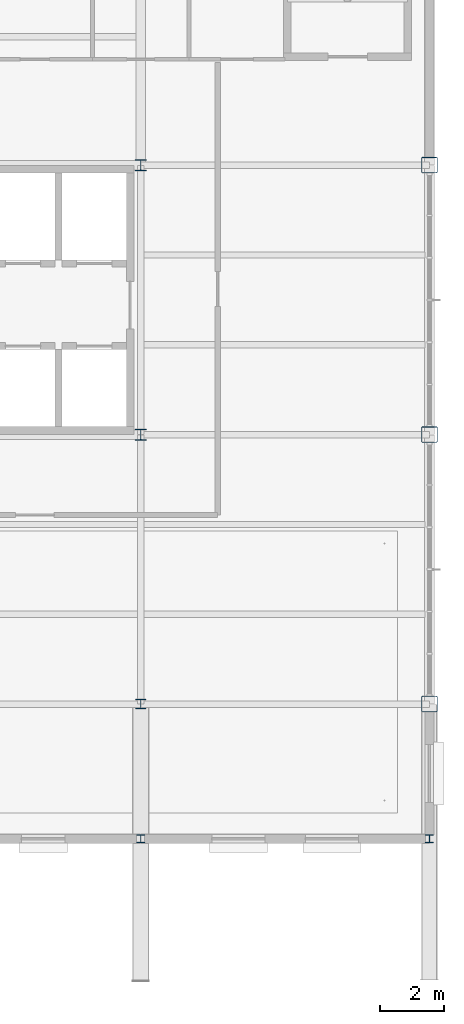
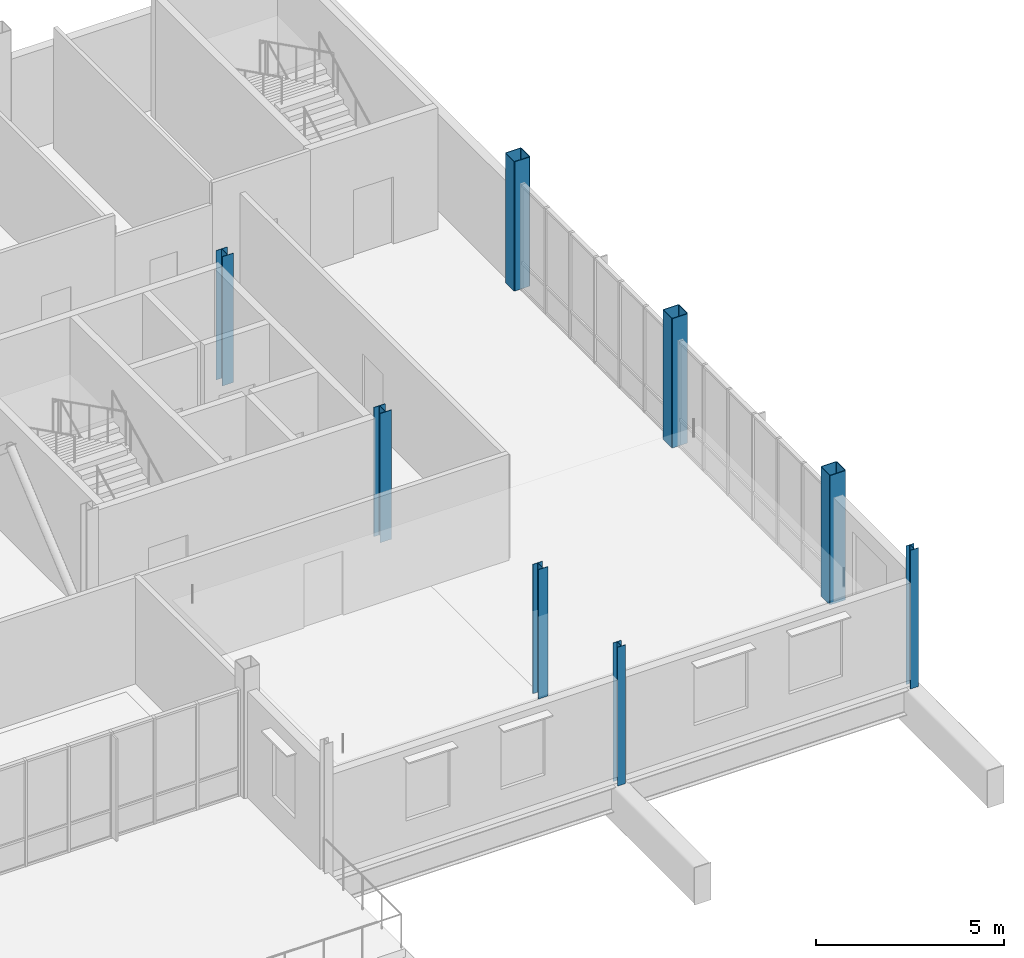
# One storey, part 2 of 22: 8 columns.
"""IFC4 building model written with IfcOpenShell, lengths in metres."""

from ifc_helpers import new_model, si_unit, direction, frame, origin, origin_2d, place, context, subcontext, project, spatial, hollow_rectangle, i_section, extrude, material, material_profile, profile_set, type_object, element, save


model = new_model("IFC4")

# Units and contexts
model_context = context("Model", 3, precision=1e-05, world=origin(), true_north=direction((0.0, 1.0)))
body_context = subcontext(model_context, "Body", "Model", "MODEL_VIEW")
ifc_project = project(units=[si_unit("LENGTHUNIT", "METRE"), si_unit("AREAUNIT", "SQUARE_METRE"), si_unit("VOLUMEUNIT", "CUBIC_METRE"), si_unit("PLANEANGLEUNIT", "RADIAN"), si_unit("MASSUNIT", "GRAM", prefix="KILO")], contexts=[model_context])

# Site, building, storey
site_placement = place(None, origin())
site = spatial("IfcSite", under=ifc_project, at=site_placement, CompositionType="ELEMENT")
building_placement = place(site_placement, origin())
building = spatial("IfcBuilding", under=site, at=building_placement, Name="Yukiwa Park Conservatory and Herbarium", CompositionType="ELEMENT")
storey_placement = place(building_placement, frame((0.0, 0.0, 35.39990234375)))
storey = spatial("IfcBuildingStorey", under=building, at=storey_placement, Name="L09", CompositionType="ELEMENT", Elevation=35.39990234375)

# Columns
ifc_material_1 = material(Name="Steel Q355D", Category="steel")
ifc_material_profile_1 = material_profile(ifc_material_1, i_section(OverallWidth=0.25, OverallDepth=0.25, WebThickness=0.009033203125, FlangeThickness=0.013916015625, FilletRadius=0.01611328125, at=origin_2d()), Name="HW 250x250x9x14")
ifc_profile_set_1 = profile_set([ifc_material_profile_1], Name="Steel Q355D")
column_type_1 = type_object("IfcColumnType", Name="COL-SB-HW250", PredefinedType="COLUMN", material=ifc_profile_set_1)
for number, where, z_axis, x_axis, name in (
    (1, (159.0, 82.199951171875, -0.304931640625), (0.0, 0.0, 1.0), (1.0, 0.0, 0.0), "L09 column V5SB2-X1590-Y822"),
    (2, (168.0, 82.199951171875, -0.304931640625), (0.0, 0.0, 1.0), (1.0, 0.0, 0.0), "L09 column V5SB2-X1680-Y822"),
):
    element("IfcColumn", number, at=place(storey_placement, frame(where, z_axis=z_axis, x_axis=x_axis)), inside=storey, type_object=column_type_1, Name=name, PredefinedType="COLUMN", context=body_context, shape_type="SweptSolid", body=[
        extrude(i_section(OverallWidth=0.25, OverallDepth=0.25, WebThickness=0.009033203125, FlangeThickness=0.013916015625, FilletRadius=0.01611328125, at=origin_2d()), origin(), (0.0, 0.0, 1.0), 4.505126953125),
    ])
ifc_material_2 = material(Name="Steel Q355D", Category="steel")
ifc_material_profile_2 = material_profile(ifc_material_2, hollow_rectangle(XDim=0.5, YDim=0.5, WallThickness=0.02001953125, InnerFilletRadius=0.02001953125, OuterFilletRadius=0.0400390625, at=origin_2d()), Name="BOX 500x500x20")
ifc_profile_set_2 = profile_set([ifc_material_profile_2], Name="Steel Q355D")
column_type_2 = type_object("IfcColumnType", Name="COL-TW-BOX500-EXT", PredefinedType="COLUMN", material=ifc_profile_set_2)
for number, where, z_axis, x_axis, name in (
    (3, (168.0, 86.39990234375, 0.0), (0.0, 0.0, 1.0), (1.0, 0.0, 0.0), "L09 column V5-X1680-Y864"),
    (4, (168.0, 94.800048828125, 0.0), (0.0, 0.0, 1.0), (1.0, 0.0, 0.0), "L09 column V5-X1680-Y948"),
    (5, (168.0, 103.199951171875, 0.0), (0.0, 0.0, 1.0), (1.0, 0.0, 0.0), "L09 column V5-X1680-Y1032"),
):
    element("IfcColumn", number, at=place(storey_placement, frame(where, z_axis=z_axis, x_axis=x_axis)), inside=storey, type_object=column_type_2, Name=name, PredefinedType="COLUMN", context=body_context, shape_type="SweptSolid", body=[
        extrude(hollow_rectangle(XDim=0.5, YDim=0.5, WallThickness=0.02001953125, InnerFilletRadius=0.02001953125, OuterFilletRadius=0.0400390625, at=origin_2d()), origin(), (0.0, 0.0, 1.0), 4.2001953125),
    ])
ifc_material_3 = material(Name="Steel Q355D", Category="steel")
ifc_material_profile_3 = material_profile(ifc_material_3, i_section(OverallWidth=0.300048828125, OverallDepth=0.300048828125, WebThickness=0.010009765625, FlangeThickness=0.014892578125, FilletRadius=0.01806640625, at=origin_2d()), Name="HW 300x300x10x15")
ifc_profile_set_3 = profile_set([ifc_material_profile_3], Name="Steel Q355D")
column_type_3 = type_object("IfcColumnType", Name="COL-TW-HW300", PredefinedType="COLUMN", material=ifc_profile_set_3)
column_placement = place(storey_placement, frame((159.0, 86.39990234375, 0.0), z_axis=(0.0, 0.0, 1.0), x_axis=(1.0, 0.0, 0.0)))
element("IfcColumn", 6, at=column_placement, inside=storey, type_object=column_type_3, Name="L09 column V5-X1590-Y864", PredefinedType="COLUMN", context=body_context, shape_type="SweptSolid", body=[
    extrude(i_section(OverallWidth=0.300048828125, OverallDepth=0.300048828125, WebThickness=0.010009765625, FlangeThickness=0.014892578125, FilletRadius=0.01806640625, at=origin_2d()), origin(), (0.0, 0.0, 1.0), 4.2001953125),
])
ifc_material_4 = material(Name="Steel Q355D", Category="steel")
ifc_material_profile_4 = material_profile(ifc_material_4, i_section(OverallWidth=0.347900390625, OverallDepth=0.343994140625, WebThickness=0.010009765625, FlangeThickness=0.01611328125, FilletRadius=0.02001953125, at=origin_2d()), Name="HW 344x348x10x16")
ifc_profile_set_4 = profile_set([ifc_material_profile_4], Name="Steel Q355D")
column_type_4 = type_object("IfcColumnType", Name="COL-TW-HW344", PredefinedType="COLUMN", material=ifc_profile_set_4)
for number, where, z_axis, x_axis, name in (
    (7, (159.0, 94.800048828125, 0.0), (0.0, 0.0, 1.0), (1.0, 0.0, 0.0), "L09 column V5-X1590-Y948"),
    (8, (159.0, 103.199951171875, 0.0), (0.0, 0.0, 1.0), (1.0, 0.0, 0.0), "L09 column V5-X1590-Y1032"),
):
    element("IfcColumn", number, at=place(storey_placement, frame(where, z_axis=z_axis, x_axis=x_axis)), inside=storey, type_object=column_type_4, Name=name, PredefinedType="COLUMN", context=body_context, shape_type="SweptSolid", body=[
        extrude(i_section(OverallWidth=0.347900390625, OverallDepth=0.343994140625, WebThickness=0.010009765625, FlangeThickness=0.01611328125, FilletRadius=0.02001953125, at=origin_2d()), origin(), (0.0, 0.0, 1.0), 4.2001953125),
    ])

save(model, "model.ifc")
